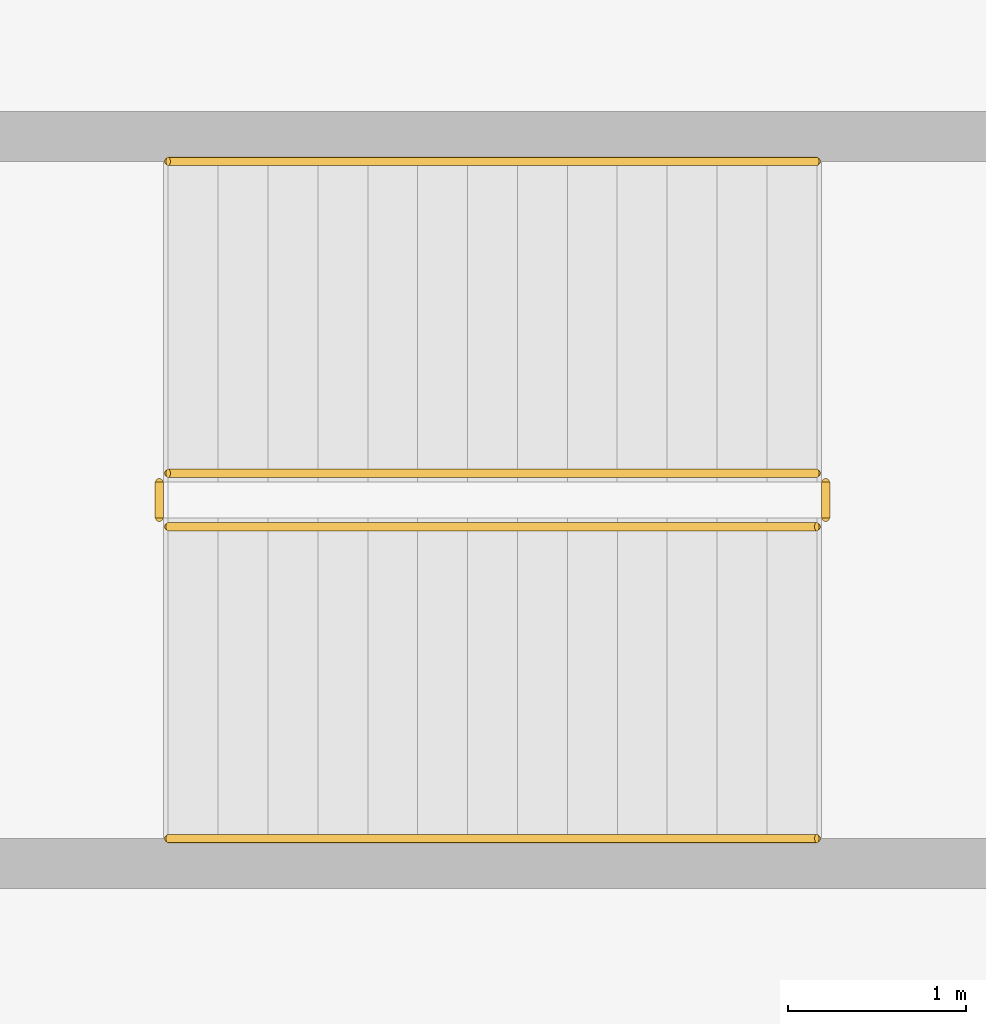
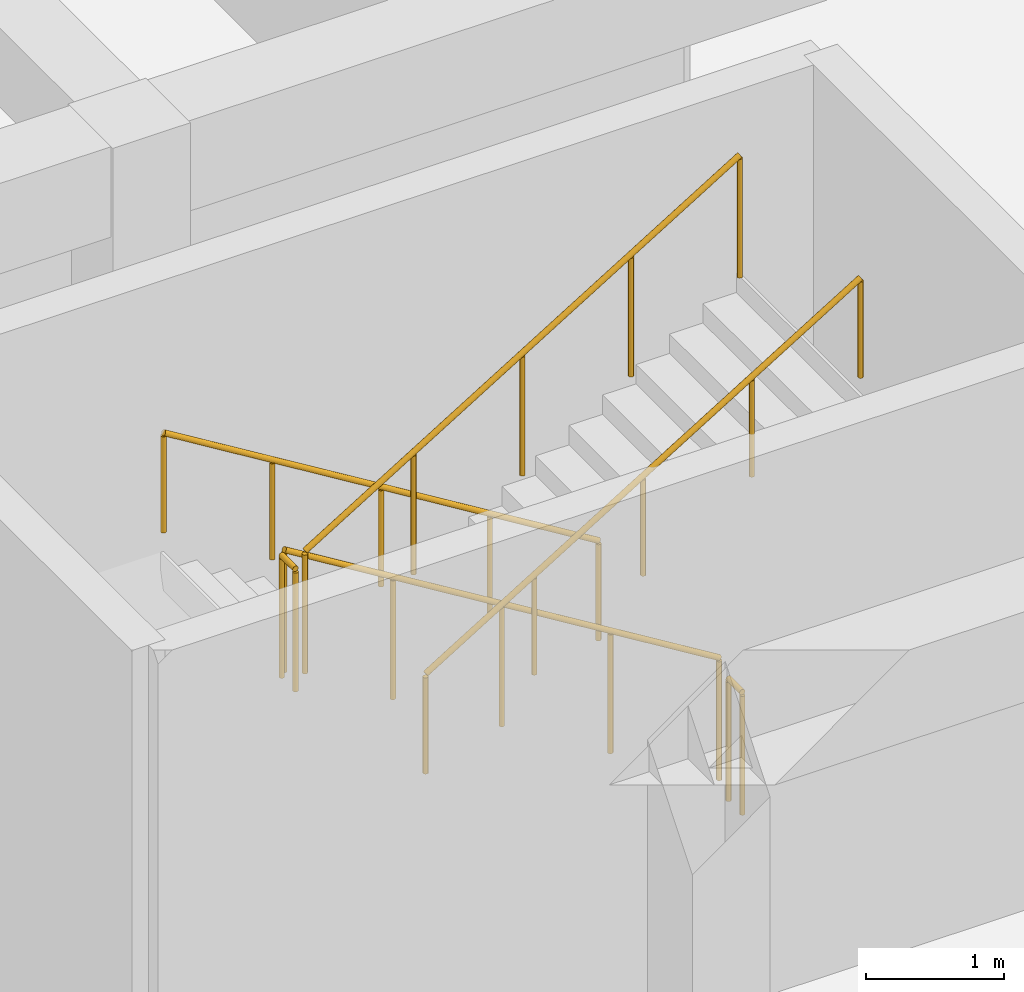
# One storey, part 38 of 51: 6 railings.
"""IFC4 building model written with IfcOpenShell, lengths in metres."""

from ifc_helpers import new_model, si_unit, direction, frame, origin, origin_2d, place, context, subcontext, project, spatial, circle, extrude, material, type_object, element, save


model = new_model("IFC4")

# Units and contexts
model_context = context("Model", 3, precision=1e-05, world=origin(), true_north=direction((0.0, 1.0)))
body_context = subcontext(model_context, "Body", "Model", "MODEL_VIEW")
ifc_project = project(units=[si_unit("LENGTHUNIT", "METRE"), si_unit("AREAUNIT", "SQUARE_METRE"), si_unit("VOLUMEUNIT", "CUBIC_METRE"), si_unit("PLANEANGLEUNIT", "RADIAN"), si_unit("MASSUNIT", "GRAM", prefix="KILO")], contexts=[model_context])

# Site, building, storey
site_placement = place(None, origin())
site = spatial("IfcSite", under=ifc_project, at=site_placement, CompositionType="ELEMENT")
building_placement = place(site_placement, origin())
building = spatial("IfcBuilding", under=site, at=building_placement, Name="Varncliffe General Hospital", CompositionType="ELEMENT")
storey_placement = place(building_placement, frame((0.0, 0.0, -4.800048828125)))
storey = spatial("IfcBuildingStorey", under=building, at=storey_placement, Name="B1", CompositionType="ELEMENT", Elevation=-4.800048828125)

# Railings
ifc_material = material(Name="Powder-coated hospital steel guardrail and handrail", Category="steel")
railing_type_1 = type_object("IfcRailingType", Name="Stair and Ramp Handrail HR46", PredefinedType="HANDRAIL", material=ifc_material)
railing_1_placement = place(storey_placement, frame((11.199951171875, 64.050048828125, 0.346923828125)))
element("IfcRailing", 1, at=railing_1_placement, inside=storey, type_object=railing_type_1, Name="B1 ST05 stair handrail 1", PredefinedType="HANDRAIL", context=body_context, shape_type="SweptSolid", body=[
    extrude(circle(Radius=0.02392578125, at=origin_2d()), frame((0.0, 0.0, 0.8759765625), z_axis=(-0.852850264322, 0.0, 0.5221555579), x_axis=(0.0, -1.0, 0.0)), (0.0, 0.0, 1.0), 4.267822265625),
    extrude(circle(Radius=0.02099609375, at=origin_2d()), origin(), (0.0, 0.0, 1.0), 0.851806640625),
    extrude(circle(Radius=0.02099609375, at=origin_2d()), frame((-0.909912109375, 0.0, 0.55712890625)), (0.0, 0.0, 1.0), 0.851806640625),
    extrude(circle(Radius=0.02099609375, at=origin_2d()), frame((-1.81982421875, 0.0, 1.1142578125)), (0.0, 0.0, 1.0), 0.851806640625),
    extrude(circle(Radius=0.02099609375, at=origin_2d()), frame((-2.72998046875, 0.0, 1.67138671875)), (0.0, 0.0, 1.0), 0.851806640625),
    extrude(circle(Radius=0.02099609375, at=origin_2d()), frame((-3.639892578125, 0.0, 2.228515625)), (0.0, 0.0, 1.0), 0.851806640625),
])
railing_2_placement = place(storey_placement, frame((7.56005859375, 60.25, 2.746826171875)))
element("IfcRailing", 2, at=railing_2_placement, inside=storey, type_object=railing_type_1, Name="B1 ST05 stair handrail 2", PredefinedType="HANDRAIL", context=body_context, shape_type="SweptSolid", body=[
    extrude(circle(Radius=0.02392578125, at=origin_2d()), frame((0.0, 0.0, 0.8759765625), z_axis=(0.852824790078, 0.0, 0.522197163366), x_axis=(0.0, 1.0, 0.0)), (0.0, 0.0, 1.0), 4.26806640625),
    extrude(circle(Radius=0.02099609375, at=origin_2d()), origin(), (0.0, 0.0, 1.0), 0.851806640625),
    extrude(circle(Radius=0.02099609375, at=origin_2d()), frame((0.909912109375, 0.0, 0.55712890625)), (0.0, 0.0, 1.0), 0.851806640625),
    extrude(circle(Radius=0.02099609375, at=origin_2d()), frame((1.81982421875, 0.0, 1.1142578125)), (0.0, 0.0, 1.0), 0.851806640625),
    extrude(circle(Radius=0.02099609375, at=origin_2d()), frame((2.72998046875, 0.0, 1.671630859375)), (0.0, 0.0, 1.0), 0.851806640625),
    extrude(circle(Radius=0.02099609375, at=origin_2d()), frame((3.639892578125, 0.0, 2.228759765625)), (0.0, 0.0, 1.0), 0.851806640625),
])
railing_type_2 = type_object("IfcRailingType", Name="Stairwell Guardrail SG49", PredefinedType="GUARDRAIL", material=ifc_material)
railing_3_placement = place(storey_placement, frame((11.199951171875, 62.300048828125, 0.17138671875)))
element("IfcRailing", 3, at=railing_3_placement, inside=storey, type_object=railing_type_2, Name="B1 ST05 stair guard 1", PredefinedType="GUARDRAIL", context=body_context, shape_type="SweptSolid", body=[
    extrude(circle(Radius=0.02392578125, at=origin_2d()), frame((0.0, 0.0, 1.076171875), z_axis=(-0.852824790078, 0.0, 0.522197163366), x_axis=(0.0, -1.0, 0.0)), (0.0, 0.0, 1.0), 4.26806640625),
    extrude(circle(Radius=0.02099609375, at=origin_2d()), origin(), (0.0, 0.0, 1.0), 1.052001953125),
    extrude(circle(Radius=0.02099609375, at=origin_2d()), frame((-0.909912109375, 0.0, 0.55712890625)), (0.0, 0.0, 1.0), 1.052001953125),
    extrude(circle(Radius=0.02099609375, at=origin_2d()), frame((-1.81982421875, 0.0, 1.1142578125)), (0.0, 0.0, 1.0), 1.052001953125),
    extrude(circle(Radius=0.02099609375, at=origin_2d()), frame((-2.72998046875, 0.0, 1.671630859375)), (0.0, 0.0, 1.0), 1.052001953125),
    extrude(circle(Radius=0.02099609375, at=origin_2d()), frame((-3.639892578125, 0.0, 2.228759765625)), (0.0, 0.0, 1.0), 1.052001953125),
])
railing_4_placement = place(storey_placement, frame((7.510009765625, 62.25, 2.400146484375)))
element("IfcRailing", 4, at=railing_4_placement, inside=storey, type_object=railing_type_2, Name="B1 ST05 stair guard 2", PredefinedType="GUARDRAIL", context=body_context, shape_type="SweptSolid", body=[
    extrude(circle(Radius=0.02392578125, at=origin_2d()), frame((0.0, 0.0, 1.076171875), z_axis=(0.0, -1.0, 0.0), x_axis=(1.0, 0.0, 0.0)), (0.0, 0.0, 1.0), 0.199951171875),
    extrude(circle(Radius=0.02099609375, at=origin_2d()), origin(), (0.0, 0.0, 1.0), 1.052001953125),
    extrude(circle(Radius=0.02099609375, at=origin_2d()), frame((0.0, -0.199951171875, 0.0)), (0.0, 0.0, 1.0), 1.052001953125),
])
railing_5_placement = place(storey_placement, frame((7.56005859375, 62.0, 2.571533203125)))
element("IfcRailing", 5, at=railing_5_placement, inside=storey, type_object=railing_type_2, Name="B1 ST05 stair guard 3", PredefinedType="GUARDRAIL", context=body_context, shape_type="SweptSolid", body=[
    extrude(circle(Radius=0.02392578125, at=origin_2d()), frame((0.0, 0.0, 1.076171875), z_axis=(0.852850264322, 0.0, 0.5221555579), x_axis=(0.0, 1.0, 0.0)), (0.0, 0.0, 1.0), 4.267822265625),
    extrude(circle(Radius=0.02099609375, at=origin_2d()), origin(), (0.0, 0.0, 1.0), 1.052001953125),
    extrude(circle(Radius=0.02099609375, at=origin_2d()), frame((0.909912109375, 0.0, 0.55712890625)), (0.0, 0.0, 1.0), 1.052001953125),
    extrude(circle(Radius=0.02099609375, at=origin_2d()), frame((1.81982421875, 0.0, 1.1142578125)), (0.0, 0.0, 1.0), 1.052001953125),
    extrude(circle(Radius=0.02099609375, at=origin_2d()), frame((2.72998046875, 0.0, 1.67138671875)), (0.0, 0.0, 1.0), 1.052001953125),
    extrude(circle(Radius=0.02099609375, at=origin_2d()), frame((3.639892578125, 0.0, 2.228515625)), (0.0, 0.0, 1.0), 1.052001953125),
])
railing_6_placement = place(storey_placement, frame((11.25, 62.25, 0.0)))
element("IfcRailing", 6, at=railing_6_placement, inside=storey, type_object=railing_type_2, Name="B1 ST05 stair guard 4", PredefinedType="GUARDRAIL", context=body_context, shape_type="SweptSolid", body=[
    extrude(circle(Radius=0.02392578125, at=origin_2d()), frame((0.0, 0.0, 1.076171875), z_axis=(0.0, -1.0, 0.0), x_axis=(1.0, 0.0, 0.0)), (0.0, 0.0, 1.0), 0.199951171875),
    extrude(circle(Radius=0.02099609375, at=origin_2d()), origin(), (0.0, 0.0, 1.0), 1.052001953125),
    extrude(circle(Radius=0.02099609375, at=origin_2d()), frame((0.0, -0.199951171875, 0.0)), (0.0, 0.0, 1.0), 1.052001953125),
])

save(model, "model.ifc")
